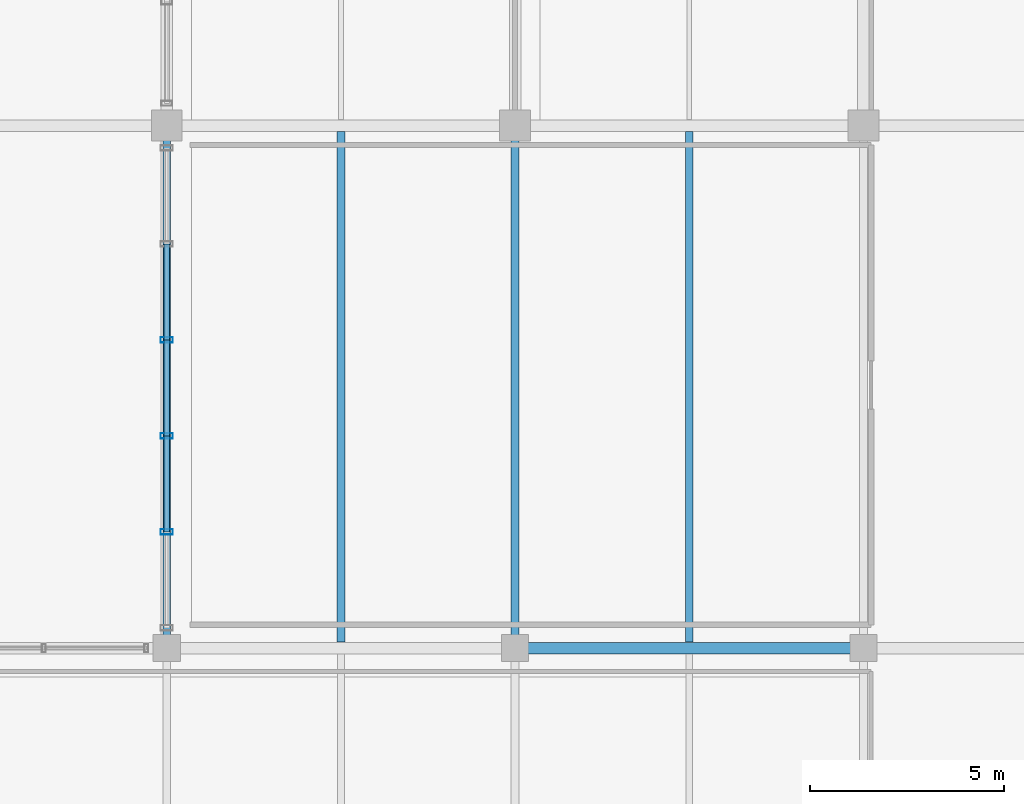
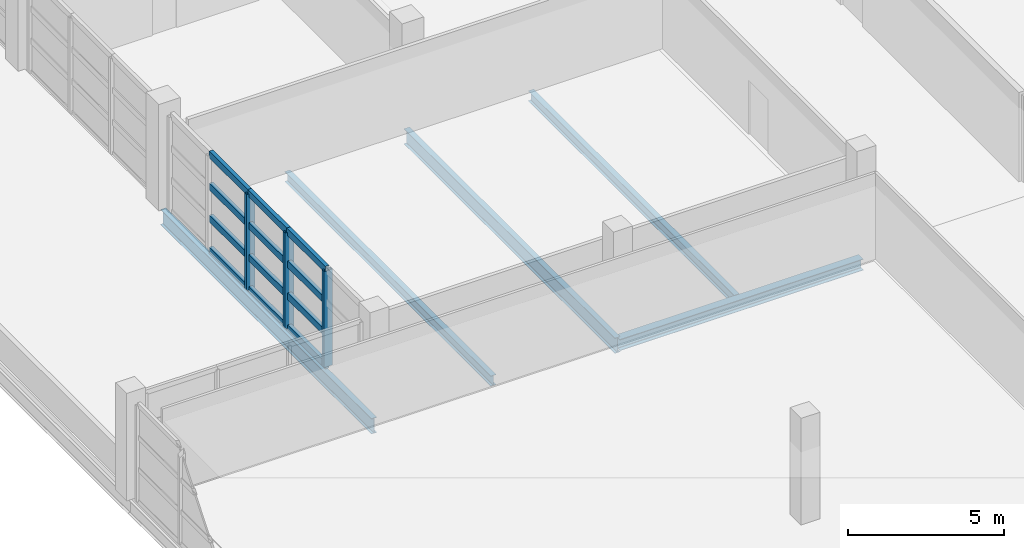
# One storey, part 73 of 136: 15 members, 5 beams, 1 element without a shape of its own.
"""IFC4 building model written with IfcOpenShell, lengths in metres."""

from ifc_helpers import new_model, si_unit, direction, frame, origin, origin_2d, place, context, subcontext, project, spatial, hollow_rectangle, i_section, extrude, material, material_profile, profile_set, type_object, element, aggregate, save


model = new_model("IFC4")

# Units and contexts
model_context = context("Model", 3, precision=1e-05, world=origin(), true_north=direction((0.0, 1.0)))
body_context = subcontext(model_context, "Body", "Model", "MODEL_VIEW")
ifc_project = project(units=[si_unit("LENGTHUNIT", "METRE"), si_unit("AREAUNIT", "SQUARE_METRE"), si_unit("VOLUMEUNIT", "CUBIC_METRE"), si_unit("PLANEANGLEUNIT", "RADIAN"), si_unit("MASSUNIT", "GRAM", prefix="KILO")], contexts=[model_context])

# Site, building, storey
site_placement = place(None, origin())
site = spatial("IfcSite", under=ifc_project, at=site_placement, CompositionType="ELEMENT")
building_placement = place(site_placement, origin())
building = spatial("IfcBuilding", under=site, at=building_placement, Name="Chuanluo Vaults Station", CompositionType="ELEMENT")
storey_placement = place(building_placement, frame((0.0, 0.0, 6.60009765625)))
storey = spatial("IfcBuildingStorey", under=building, at=storey_placement, Name="L01", CompositionType="ELEMENT", Elevation=6.60009765625)

# Beams
ifc_material_1 = material(Name="Steel Q355C", Category="steel")
ifc_material_profile_1 = material_profile(ifc_material_1, i_section(OverallWidth=0.300048828125, OverallDepth=0.43994140625, WebThickness=0.010986328125, FlangeThickness=0.01806640625, FilletRadius=0.02001953125, at=origin_2d()))
ifc_profile_set_1 = profile_set([ifc_material_profile_1], Name="Steel Q355C")
beam_type_1 = type_object("IfcBeamType", Name="BM-GRD-450", PredefinedType="USERDEFINED", material=ifc_profile_set_1)
beam_placement = place(storey_placement, frame((154.0, 54.0, -0.460205078125), z_axis=(1.0, 0.0, 0.0), x_axis=(0.0, 1.0, 0.0)))
element("IfcBeam", 1, at=beam_placement, inside=storey, type_object=beam_type_1, Name="Floor girder BM:GX:L01:0330", ObjectType="GIRDER", PredefinedType="USERDEFINED", context=body_context, shape_type="SweptSolid", body=[
    extrude(i_section(OverallWidth=0.300048828125, OverallDepth=0.43994140625, WebThickness=0.010986328125, FlangeThickness=0.01806640625, FilletRadius=0.02001953125, at=origin_2d()), origin(), (0.0, 0.0, 1.0), 9.0),
])
ifc_material_2 = material(Name="Steel Q355C", Category="steel")
ifc_material_profile_2 = material_profile(ifc_material_2, i_section(OverallWidth=0.199951171875, OverallDepth=0.60009765625, WebThickness=0.010986328125, FlangeThickness=0.01708984375, FilletRadius=0.01806640625, at=origin_2d()))
ifc_profile_set_2 = profile_set([ifc_material_profile_2], Name="Steel Q355C")
beam_type_2 = type_object("IfcBeamType", Name="BM-GRD-600", PredefinedType="USERDEFINED", material=ifc_profile_set_2)
for number, where, z_axis, x_axis, name in (
    (2, (145.0, 54.0, -0.5400390625), (0.0, 1.0, 0.0), (-1.0, 0.0, 0.0), "Floor girder BM:GY:L01:0470"),
    (3, (154.0, 54.0, -0.5400390625), (0.0, 1.0, 0.0), (-1.0, 0.0, 0.0), "Floor girder BM:GY:L01:0482"),
):
    element("IfcBeam", number, at=place(storey_placement, frame(where, z_axis=z_axis, x_axis=x_axis)), inside=storey, type_object=beam_type_2, Name=name, ObjectType="GIRDER", PredefinedType="USERDEFINED", context=body_context, shape_type="SweptSolid", body=[
        extrude(i_section(OverallWidth=0.199951171875, OverallDepth=0.60009765625, WebThickness=0.010986328125, FlangeThickness=0.01708984375, FilletRadius=0.01806640625, at=origin_2d()), origin(), (0.0, 0.0, 1.0), 13.5),
    ])
ifc_material_3 = material(Name="Steel Q355C", Category="steel")
ifc_material_profile_3 = material_profile(ifc_material_3, i_section(OverallWidth=0.199951171875, OverallDepth=0.39990234375, WebThickness=0.008056640625, FlangeThickness=0.012939453125, FilletRadius=0.01611328125, at=origin_2d()))
ifc_profile_set_3 = profile_set([ifc_material_profile_3], Name="Steel Q355C")
beam_type_3 = type_object("IfcBeamType", Name="BM-SEC-400", PredefinedType="BEAM", material=ifc_profile_set_3)
for number, where, z_axis, x_axis, name in (
    (4, (149.5, 54.155029296875, -0.440185546875), (0.0, 1.0, 0.0), (-1.0, 0.0, 0.0), "Composite secondary joist 0161"),
    (5, (158.5, 54.155029296875, -0.440185546875), (0.0, 1.0, 0.0), (-1.0, 0.0, 0.0), "Composite secondary joist 0170"),
):
    element("IfcBeam", number, at=place(storey_placement, frame(where, z_axis=z_axis, x_axis=x_axis)), inside=storey, type_object=beam_type_3, Name=name, PredefinedType="BEAM", context=body_context, shape_type="SweptSolid", body=[
        extrude(i_section(OverallWidth=0.199951171875, OverallDepth=0.39990234375, WebThickness=0.008056640625, FlangeThickness=0.012939453125, FilletRadius=0.01611328125, at=origin_2d()), origin(), (0.0, 0.0, 1.0), 13.18994140625),
    ])

# Curtain wall, members
ifc_material_4 = material(Name="Anodised aluminium 6063-T6", Category="aluminium")
curtain_wall_type = type_object("IfcCurtainWallType", Name="CW-SYS-09", PredefinedType="NOTDEFINED", material=ifc_material_4)
curtain_wall_placement = place(storey_placement, origin())
curtain_wall = element("IfcCurtainWall", 6, at=curtain_wall_placement, inside=storey, type_object=curtain_wall_type, Name="Operations L01 facade CW", PredefinedType="NOTDEFINED")
ifc_material_5 = material(Name="Anodised aluminium 6063-T6", Category="aluminium")
ifc_material_profile_4 = material_profile(ifc_material_5, hollow_rectangle(XDim=0.139892578125, YDim=0.320068359375, WallThickness=0.008056640625, at=origin_2d()))
ifc_profile_set_4 = profile_set([ifc_material_profile_4], Name="Anodised aluminium 6063-T6")
member_type_1 = type_object("IfcMemberType", Name="CWM-220", PredefinedType="MULLION", material=ifc_profile_set_4)
member_1_placement = place(storey_placement, frame((145.0, 57.0048828125, 0.0), z_axis=(0.0, 0.0, 1.0), x_axis=(0.0, 1.0, 0.0)))
member_1 = element("IfcMember", 7, at=member_1_placement, type_object=member_type_1, Name="Operations L01 facade CW mullion 2", PredefinedType="MULLION", context=body_context, shape_type="SweptSolid", body=[
    extrude(hollow_rectangle(XDim=0.139892578125, YDim=0.320068359375, WallThickness=0.008056640625, at=origin_2d()), origin(), (0.0, 0.0, 1.0), 3.75),
])
member_2_placement = place(storey_placement, frame((145.0, 59.485107421875, 0.0), z_axis=(0.0, 0.0, 1.0), x_axis=(0.0, 1.0, 0.0)))
member_2 = element("IfcMember", 8, at=member_2_placement, type_object=member_type_1, Name="Operations L01 facade CW mullion 3", PredefinedType="MULLION", context=body_context, shape_type="SweptSolid", body=[
    extrude(hollow_rectangle(XDim=0.139892578125, YDim=0.320068359375, WallThickness=0.008056640625, at=origin_2d()), origin(), (0.0, 0.0, 1.0), 3.75),
])
member_3_placement = place(storey_placement, frame((145.0, 61.965087890625, 0.0), z_axis=(0.0, 0.0, 1.0), x_axis=(0.0, 1.0, 0.0)))
member_3 = element("IfcMember", 9, at=member_3_placement, type_object=member_type_1, Name="Operations L01 facade CW mullion 4", PredefinedType="MULLION", context=body_context, shape_type="SweptSolid", body=[
    extrude(hollow_rectangle(XDim=0.139892578125, YDim=0.320068359375, WallThickness=0.008056640625, at=origin_2d()), origin(), (0.0, 0.0, 1.0), 3.75),
])
ifc_material_6 = material(Name="Anodised aluminium 6063-T6", Category="aluminium")
ifc_material_profile_5 = material_profile(ifc_material_6, hollow_rectangle(XDim=0.139892578125, YDim=0.260009765625, WallThickness=0.007080078125, at=origin_2d()))
ifc_profile_set_5 = profile_set([ifc_material_profile_5], Name="Anodised aluminium 6063-T6")
member_type_2 = type_object("IfcMemberType", Name="CWT-180", PredefinedType="USERDEFINED", material=ifc_profile_set_5)
member_4_placement = place(storey_placement, frame((145.0, 57.0048828125, 0.0), z_axis=(0.0, 1.0, 0.0), x_axis=(-1.0, 0.0, 0.0)))
member_4 = element("IfcMember", 10, at=member_4_placement, type_object=member_type_2, Name="Operations L01 facade CW transom 2.1", ObjectType="TRANSOM", PredefinedType="USERDEFINED", context=body_context, shape_type="SweptSolid", body=[
    extrude(hollow_rectangle(XDim=0.139892578125, YDim=0.260009765625, WallThickness=0.007080078125, at=origin_2d()), origin(), (0.0, 0.0, 1.0), 2.480224609375),
])
member_5_placement = place(storey_placement, frame((145.0, 57.0048828125, 1.25), z_axis=(0.0, 1.0, 0.0), x_axis=(-1.0, 0.0, 0.0)))
member_5 = element("IfcMember", 11, at=member_5_placement, type_object=member_type_2, Name="Operations L01 facade CW transom 2.2", ObjectType="TRANSOM", PredefinedType="USERDEFINED", context=body_context, shape_type="SweptSolid", body=[
    extrude(hollow_rectangle(XDim=0.139892578125, YDim=0.260009765625, WallThickness=0.007080078125, at=origin_2d()), origin(), (0.0, 0.0, 1.0), 2.480224609375),
])
member_6_placement = place(storey_placement, frame((145.0, 57.0048828125, 2.5), z_axis=(0.0, 1.0, 0.0), x_axis=(-1.0, 0.0, 0.0)))
member_6 = element("IfcMember", 12, at=member_6_placement, type_object=member_type_2, Name="Operations L01 facade CW transom 2.3", ObjectType="TRANSOM", PredefinedType="USERDEFINED", context=body_context, shape_type="SweptSolid", body=[
    extrude(hollow_rectangle(XDim=0.139892578125, YDim=0.260009765625, WallThickness=0.007080078125, at=origin_2d()), origin(), (0.0, 0.0, 1.0), 2.480224609375),
])
member_7_placement = place(storey_placement, frame((145.0, 57.0048828125, 3.75), z_axis=(0.0, 1.0, 0.0), x_axis=(-1.0, 0.0, 0.0)))
member_7 = element("IfcMember", 13, at=member_7_placement, type_object=member_type_2, Name="Operations L01 facade CW transom 2.4", ObjectType="TRANSOM", PredefinedType="USERDEFINED", context=body_context, shape_type="SweptSolid", body=[
    extrude(hollow_rectangle(XDim=0.139892578125, YDim=0.260009765625, WallThickness=0.007080078125, at=origin_2d()), origin(), (0.0, 0.0, 1.0), 2.480224609375),
])
member_8_placement = place(storey_placement, frame((145.0, 59.485107421875, 0.0), z_axis=(0.0, 1.0, 0.0), x_axis=(-1.0, 0.0, 0.0)))
member_8 = element("IfcMember", 14, at=member_8_placement, type_object=member_type_2, Name="Operations L01 facade CW transom 3.1", ObjectType="TRANSOM", PredefinedType="USERDEFINED", context=body_context, shape_type="SweptSolid", body=[
    extrude(hollow_rectangle(XDim=0.139892578125, YDim=0.260009765625, WallThickness=0.007080078125, at=origin_2d()), origin(), (0.0, 0.0, 1.0), 2.47998046875),
])
member_9_placement = place(storey_placement, frame((145.0, 59.485107421875, 1.25), z_axis=(0.0, 1.0, 0.0), x_axis=(-1.0, 0.0, 0.0)))
member_9 = element("IfcMember", 15, at=member_9_placement, type_object=member_type_2, Name="Operations L01 facade CW transom 3.2", ObjectType="TRANSOM", PredefinedType="USERDEFINED", context=body_context, shape_type="SweptSolid", body=[
    extrude(hollow_rectangle(XDim=0.139892578125, YDim=0.260009765625, WallThickness=0.007080078125, at=origin_2d()), origin(), (0.0, 0.0, 1.0), 2.47998046875),
])
member_10_placement = place(storey_placement, frame((145.0, 59.485107421875, 2.5), z_axis=(0.0, 1.0, 0.0), x_axis=(-1.0, 0.0, 0.0)))
member_10 = element("IfcMember", 16, at=member_10_placement, type_object=member_type_2, Name="Operations L01 facade CW transom 3.3", ObjectType="TRANSOM", PredefinedType="USERDEFINED", context=body_context, shape_type="SweptSolid", body=[
    extrude(hollow_rectangle(XDim=0.139892578125, YDim=0.260009765625, WallThickness=0.007080078125, at=origin_2d()), origin(), (0.0, 0.0, 1.0), 2.47998046875),
])
member_11_placement = place(storey_placement, frame((145.0, 59.485107421875, 3.75), z_axis=(0.0, 1.0, 0.0), x_axis=(-1.0, 0.0, 0.0)))
member_11 = element("IfcMember", 17, at=member_11_placement, type_object=member_type_2, Name="Operations L01 facade CW transom 3.4", ObjectType="TRANSOM", PredefinedType="USERDEFINED", context=body_context, shape_type="SweptSolid", body=[
    extrude(hollow_rectangle(XDim=0.139892578125, YDim=0.260009765625, WallThickness=0.007080078125, at=origin_2d()), origin(), (0.0, 0.0, 1.0), 2.47998046875),
])
member_12_placement = place(storey_placement, frame((145.0, 61.965087890625, 0.0), z_axis=(0.0, 1.0, 0.0), x_axis=(-1.0, 0.0, 0.0)))
member_12 = element("IfcMember", 18, at=member_12_placement, type_object=member_type_2, Name="Operations L01 facade CW transom 4.1", ObjectType="TRANSOM", PredefinedType="USERDEFINED", context=body_context, shape_type="SweptSolid", body=[
    extrude(hollow_rectangle(XDim=0.139892578125, YDim=0.260009765625, WallThickness=0.007080078125, at=origin_2d()), origin(), (0.0, 0.0, 1.0), 2.47998046875),
])
member_13_placement = place(storey_placement, frame((145.0, 61.965087890625, 1.25), z_axis=(0.0, 1.0, 0.0), x_axis=(-1.0, 0.0, 0.0)))
member_13 = element("IfcMember", 19, at=member_13_placement, type_object=member_type_2, Name="Operations L01 facade CW transom 4.2", ObjectType="TRANSOM", PredefinedType="USERDEFINED", context=body_context, shape_type="SweptSolid", body=[
    extrude(hollow_rectangle(XDim=0.139892578125, YDim=0.260009765625, WallThickness=0.007080078125, at=origin_2d()), origin(), (0.0, 0.0, 1.0), 2.47998046875),
])
member_14_placement = place(storey_placement, frame((145.0, 61.965087890625, 2.5), z_axis=(0.0, 1.0, 0.0), x_axis=(-1.0, 0.0, 0.0)))
member_14 = element("IfcMember", 20, at=member_14_placement, type_object=member_type_2, Name="Operations L01 facade CW transom 4.3", ObjectType="TRANSOM", PredefinedType="USERDEFINED", context=body_context, shape_type="SweptSolid", body=[
    extrude(hollow_rectangle(XDim=0.139892578125, YDim=0.260009765625, WallThickness=0.007080078125, at=origin_2d()), origin(), (0.0, 0.0, 1.0), 2.47998046875),
])
member_15_placement = place(storey_placement, frame((145.0, 61.965087890625, 3.75), z_axis=(0.0, 1.0, 0.0), x_axis=(-1.0, 0.0, 0.0)))
member_15 = element("IfcMember", 21, at=member_15_placement, type_object=member_type_2, Name="Operations L01 facade CW transom 4.4", ObjectType="TRANSOM", PredefinedType="USERDEFINED", context=body_context, shape_type="SweptSolid", body=[
    extrude(hollow_rectangle(XDim=0.139892578125, YDim=0.260009765625, WallThickness=0.007080078125, at=origin_2d()), origin(), (0.0, 0.0, 1.0), 2.47998046875),
])
aggregate(curtain_wall, [member_1, member_2, member_3, member_4, member_5, member_6, member_7, member_8, member_9, member_10, member_11, member_12, member_13, member_14, member_15])

save(model, "model.ifc")
